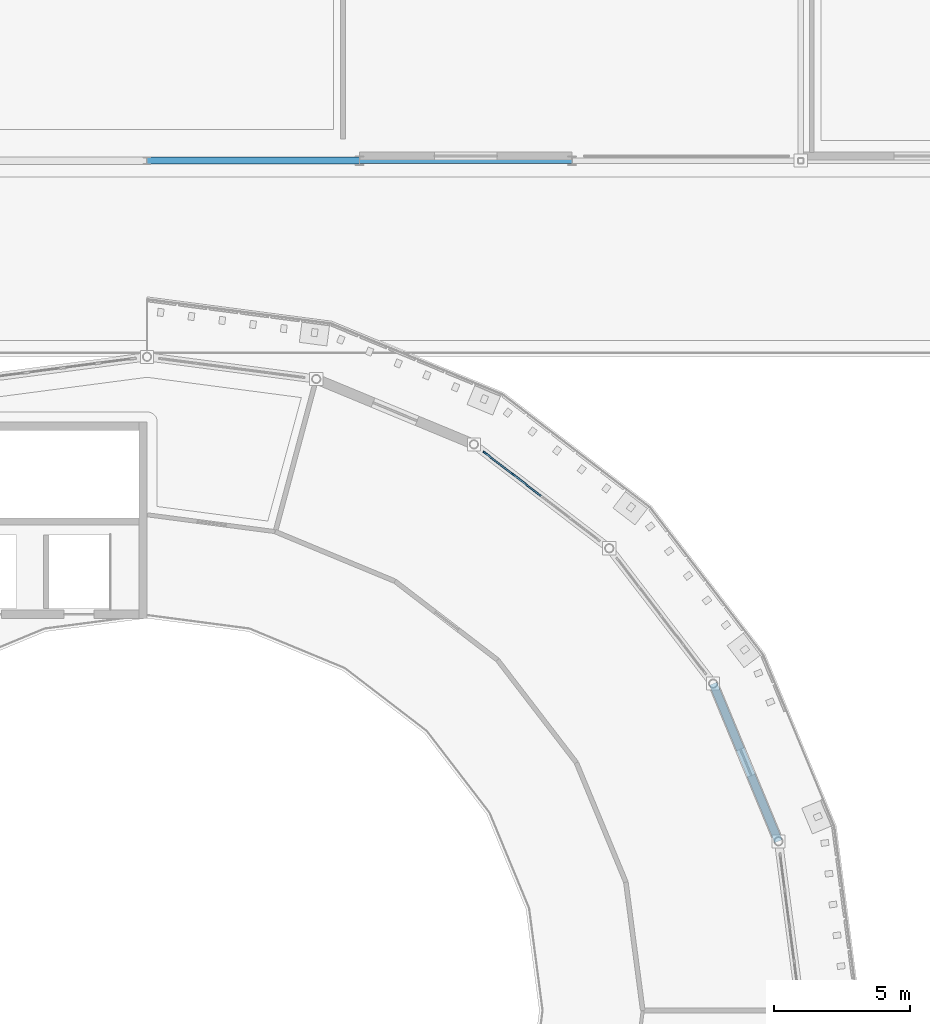
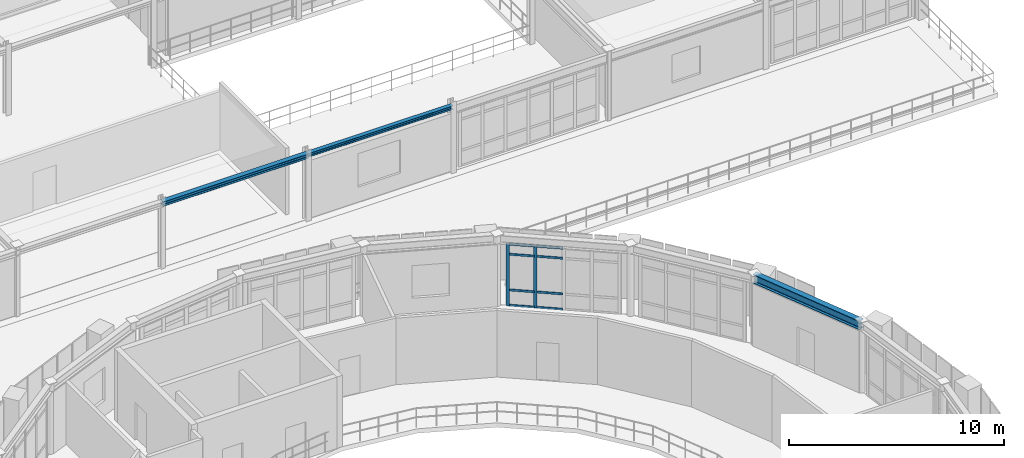
# One storey, part 27 of 58: 10 members, 3 beams, 1 element without a shape of its own.
"""IFC4 building model written with IfcOpenShell, lengths in metres."""

from ifc_helpers import new_model, si_unit, derived_unit, direction, frame, origin, origin_2d, place, context, subcontext, project, spatial, rectangle, i_section, extrude, material, layer, layer_set, material_profile, profile_set, type_object, element, aggregate, save


model = new_model("IFC4")

# Units and contexts
model_context = context("Model", 3, precision=1e-05, world=origin(), true_north=direction((0.0, 1.0)))
body_context = subcontext(model_context, "Body", "Model", "MODEL_VIEW")
ifc_project = project(units=[si_unit("LENGTHUNIT", "METRE"), si_unit("AREAUNIT", "SQUARE_METRE"), si_unit("VOLUMEUNIT", "CUBIC_METRE"), si_unit("PLANEANGLEUNIT", "RADIAN"), si_unit("MASSUNIT", "GRAM", prefix="KILO"), derived_unit("THERMALTRANSMITTANCEUNIT", [(si_unit("POWERUNIT", "WATT"), 1), (si_unit("AREAUNIT", "SQUARE_METRE"), -1), (si_unit("THERMODYNAMICTEMPERATUREUNIT", "KELVIN"), -1)])], contexts=[model_context])

# Site, building, storey
site_placement = place(None, origin())
site = spatial("IfcSite", under=ifc_project, at=site_placement, CompositionType="ELEMENT")
building_placement = place(site_placement, origin())
building = spatial("IfcBuilding", under=site, at=building_placement, Name="Yasenodar Specialist Clinic", CompositionType="ELEMENT")
storey_placement = place(building_placement, frame((0.0, 0.0, 17.25)))
storey = spatial("IfcBuildingStorey", under=building, at=storey_placement, Name="L04", CompositionType="ELEMENT", Elevation=17.25)

# Beams
ifc_material_1 = material(Name="Steel S355", Category="steel")
ifc_material_profile_1 = material_profile(ifc_material_1, i_section(OverallWidth=0.219970703125, OverallDepth=0.2099609375, WebThickness=0.007080078125, FlangeThickness=0.010986328125, FilletRadius=0.01806640625, at=origin_2d()), Name="HEA 220")
ifc_profile_set_1 = profile_set([ifc_material_profile_1], Name="Steel S355")
beam_type_1 = type_object("IfcBeamType", Name="BM-HEA220", PredefinedType="BEAM", material=ifc_profile_set_1)
beam_1_placement = place(storey_placement, frame((88.800048828125, 90.0, 3.68505859375), z_axis=(1.0, 0.0, 0.0), x_axis=(0.0, 1.0, 0.0)))
element("IfcBeam", 1, at=beam_1_placement, inside=storey, type_object=beam_type_1, Name="L04 Primary E-W Girder", PredefinedType="BEAM", context=body_context, shape_type="SweptSolid", body=[
    extrude(i_section(OverallWidth=0.219970703125, OverallDepth=0.2099609375, WebThickness=0.007080078125, FlangeThickness=0.010986328125, FilletRadius=0.01806640625, at=origin_2d()), origin(), (0.0, 0.0, 1.0), 7.800048828125),
])
ifc_material_profile_2 = material_profile(ifc_material_1, i_section(OverallWidth=0.260009765625, OverallDepth=0.25, WebThickness=0.007568359375, FlangeThickness=0.012451171875, FilletRadius=0.02392578125, at=origin_2d()), Name="HEA 260")
ifc_profile_set_2 = profile_set([ifc_material_profile_2], Name="Steel S355")
beam_type_2 = type_object("IfcBeamType", Name="BM-HEA260", PredefinedType="BEAM", material=ifc_profile_set_2)
beam_2_placement = place(storey_placement, frame((81.0, 90.0, 3.6650390625), z_axis=(1.0, 0.0, 0.0), x_axis=(0.0, 1.0, 0.0)))
element("IfcBeam", 2, at=beam_2_placement, inside=storey, type_object=beam_type_2, Name="L04 Primary E-W Girder", PredefinedType="BEAM", context=body_context, shape_type="SweptSolid", body=[
    extrude(i_section(OverallWidth=0.260009765625, OverallDepth=0.25, WebThickness=0.007568359375, FlangeThickness=0.012451171875, FilletRadius=0.02392578125, at=origin_2d()), origin(), (0.0, 0.0, 1.0), 7.800048828125),
])
ifc_material_profile_3 = material_profile(ifc_material_1, i_section(OverallWidth=0.300048828125, OverallDepth=0.5, WebThickness=0.014404296875, FlangeThickness=0.028076171875, FilletRadius=0.027099609375, at=origin_2d()), Name="HEB 500")
ifc_profile_set_3 = profile_set([ifc_material_profile_3], Name="Steel S355")
beam_type_3 = type_object("IfcBeamType", Name="BM-HEB500", PredefinedType="BEAM", material=ifc_profile_set_3)
beam_3_placement = place(storey_placement, frame((104.18212890625, 65.01171875, 3.800048828125), z_axis=(-0.382663829839, 0.9238876519, 0.0), x_axis=(-0.9238876519, -0.382663829839, 0.0)))
element("IfcBeam", 3, at=beam_3_placement, inside=storey, type_object=beam_type_3, Name="L04 Drum V1 Roof Ring Beam", PredefinedType="BEAM", context=body_context, shape_type="SweptSolid", body=[
    extrude(i_section(OverallWidth=0.300048828125, OverallDepth=0.5, WebThickness=0.014404296875, FlangeThickness=0.028076171875, FilletRadius=0.027099609375, at=origin_2d()), origin(), (0.0, 0.0, 1.0), 6.26513671875),
])

# Curtain wall, members
ifc_material_2 = material(Name="Bronze Anodized Aluminium and Triple Low-E Glass", Category="aluminium")
ifc_layer = layer(ifc_material_2, 0.1669921875)
ifc_layer_set = layer_set([ifc_layer], Name="Bronze Anodized Aluminium and Triple Low-E Glass")
curtain_wall_type = type_object("IfcCurtainWallType", Name="CW-SYS-01", PredefinedType="USERDEFINED", material=ifc_layer_set)
curtain_wall_placement = place(storey_placement, origin())
curtain_wall = element("IfcCurtainWall", 4, at=curtain_wall_placement, inside=storey, type_object=curtain_wall_type, Name="L04 Unitised Curtain Wall 058", ObjectType="UNITISED CURTAIN WALL", PredefinedType="USERDEFINED")
ifc_material_3 = material(Name="Bronze Anodized Aluminium", Category="aluminium")
ifc_material_profile_4 = material_profile(ifc_material_3, rectangle(XDim=0.06005859375, YDim=0.159912109375, at=origin_2d()), Name="CW-MULL 60x160")
ifc_profile_set_4 = profile_set([ifc_material_profile_4], Name="Bronze Anodized Aluminium")
member_type_1 = type_object("IfcMemberType", Name="CW-MULL-160", PredefinedType="MULLION", material=ifc_profile_set_4)
member_1_placement = place(storey_placement, frame((93.404541015625, 79.274169921875, 0.0), z_axis=(0.0, 0.0, 1.0), x_axis=(0.608752021844, 0.793360558574, 0.0)))
member_1 = element("IfcMember", 5, at=member_1_placement, type_object=member_type_1, Name="CW-01 mullion 1", PredefinedType="MULLION", context=body_context, shape_type="SweptSolid", body=[
    extrude(rectangle(XDim=0.06005859375, YDim=0.159912109375, at=origin_2d()), origin(), (0.0, 0.0, 1.0), 3.528076171875),
])
member_2_placement = place(storey_placement, frame((94.43310546875, 78.485107421875, 0.0), z_axis=(0.0, 0.0, 1.0), x_axis=(0.608752021844, 0.793360558574, 0.0)))
member_2 = element("IfcMember", 6, at=member_2_placement, type_object=member_type_1, Name="CW-01 mullion 2", PredefinedType="MULLION", context=body_context, shape_type="SweptSolid", body=[
    extrude(rectangle(XDim=0.06005859375, YDim=0.159912109375, at=origin_2d()), origin(), (0.0, 0.0, 1.0), 3.528076171875),
])
ifc_material_profile_5 = material_profile(ifc_material_3, rectangle(XDim=0.06005859375, YDim=0.1201171875, at=origin_2d()), Name="CW-TRAN 60x120")
ifc_profile_set_5 = profile_set([ifc_material_profile_5], Name="Bronze Anodized Aluminium")
member_type_2 = type_object("IfcMemberType", Name="CW-TRAN-120", PredefinedType="USERDEFINED", material=ifc_profile_set_5)
member_3_placement = place(storey_placement, frame((93.428466796875, 79.255859375, 0.030029296875), z_axis=(0.793291580461, -0.608841907534, 0.0), x_axis=(0.608841907534, 0.793291580461, 0.0)))
member_3 = element("IfcMember", 7, at=member_3_placement, type_object=member_type_2, Name="CW-01 transom 1.1", ObjectType="TRANSOM", PredefinedType="USERDEFINED", context=body_context, shape_type="SweptSolid", body=[
    extrude(rectangle(XDim=0.06005859375, YDim=0.1201171875, at=origin_2d()), origin(), (0.0, 0.0, 1.0), 1.236328125),
])
member_4_placement = place(storey_placement, frame((93.428466796875, 79.255859375, 0.89990234375), z_axis=(0.793291580461, -0.608841907534, 0.0), x_axis=(0.608841907534, 0.793291580461, 0.0)))
member_4 = element("IfcMember", 8, at=member_4_placement, type_object=member_type_2, Name="CW-01 transom 1.2", ObjectType="TRANSOM", PredefinedType="USERDEFINED", context=body_context, shape_type="SweptSolid", body=[
    extrude(rectangle(XDim=0.06005859375, YDim=0.1201171875, at=origin_2d()), origin(), (0.0, 0.0, 1.0), 1.236328125),
])
member_5_placement = place(storey_placement, frame((93.428466796875, 79.255859375, 2.927978515625), z_axis=(0.793291580461, -0.608841907534, 0.0), x_axis=(0.608841907534, 0.793291580461, 0.0)))
member_5 = element("IfcMember", 9, at=member_5_placement, type_object=member_type_2, Name="CW-01 transom 1.3", ObjectType="TRANSOM", PredefinedType="USERDEFINED", context=body_context, shape_type="SweptSolid", body=[
    extrude(rectangle(XDim=0.06005859375, YDim=0.1201171875, at=origin_2d()), origin(), (0.0, 0.0, 1.0), 1.236328125),
])
member_6_placement = place(storey_placement, frame((93.428466796875, 79.255859375, 3.498046875), z_axis=(0.793291580461, -0.608841907534, 0.0), x_axis=(0.608841907534, 0.793291580461, 0.0)))
member_6 = element("IfcMember", 10, at=member_6_placement, type_object=member_type_2, Name="CW-01 transom 1.4", ObjectType="TRANSOM", PredefinedType="USERDEFINED", context=body_context, shape_type="SweptSolid", body=[
    extrude(rectangle(XDim=0.06005859375, YDim=0.1201171875, at=origin_2d()), origin(), (0.0, 0.0, 1.0), 1.236328125),
])
member_7_placement = place(storey_placement, frame((94.456787109375, 78.466796875, 0.030029296875), z_axis=(0.793311491475, -0.608815963567, 0.0), x_axis=(0.608815963567, 0.793311491475, 0.0)))
member_7 = element("IfcMember", 11, at=member_7_placement, type_object=member_type_2, Name="CW-01 transom 2.1", ObjectType="TRANSOM", PredefinedType="USERDEFINED", context=body_context, shape_type="SweptSolid", body=[
    extrude(rectangle(XDim=0.06005859375, YDim=0.1201171875, at=origin_2d()), origin(), (0.0, 0.0, 1.0), 1.266357421875),
])
member_8_placement = place(storey_placement, frame((94.456787109375, 78.466796875, 0.89990234375), z_axis=(0.793311491475, -0.608815963567, 0.0), x_axis=(0.608815963567, 0.793311491475, 0.0)))
member_8 = element("IfcMember", 12, at=member_8_placement, type_object=member_type_2, Name="CW-01 transom 2.2", ObjectType="TRANSOM", PredefinedType="USERDEFINED", context=body_context, shape_type="SweptSolid", body=[
    extrude(rectangle(XDim=0.06005859375, YDim=0.1201171875, at=origin_2d()), origin(), (0.0, 0.0, 1.0), 1.266357421875),
])
member_9_placement = place(storey_placement, frame((94.456787109375, 78.466796875, 2.927978515625), z_axis=(0.793311491475, -0.608815963567, 0.0), x_axis=(0.608815963567, 0.793311491475, 0.0)))
member_9 = element("IfcMember", 13, at=member_9_placement, type_object=member_type_2, Name="CW-01 transom 2.3", ObjectType="TRANSOM", PredefinedType="USERDEFINED", context=body_context, shape_type="SweptSolid", body=[
    extrude(rectangle(XDim=0.06005859375, YDim=0.1201171875, at=origin_2d()), origin(), (0.0, 0.0, 1.0), 1.266357421875),
])
member_10_placement = place(storey_placement, frame((94.456787109375, 78.466796875, 3.498046875), z_axis=(0.793311491475, -0.608815963567, 0.0), x_axis=(0.608815963567, 0.793311491475, 0.0)))
member_10 = element("IfcMember", 14, at=member_10_placement, type_object=member_type_2, Name="CW-01 transom 2.4", ObjectType="TRANSOM", PredefinedType="USERDEFINED", context=body_context, shape_type="SweptSolid", body=[
    extrude(rectangle(XDim=0.06005859375, YDim=0.1201171875, at=origin_2d()), origin(), (0.0, 0.0, 1.0), 1.266357421875),
])
aggregate(curtain_wall, [member_1, member_2, member_3, member_4, member_5, member_6, member_7, member_8, member_9, member_10])

save(model, "model.ifc")
